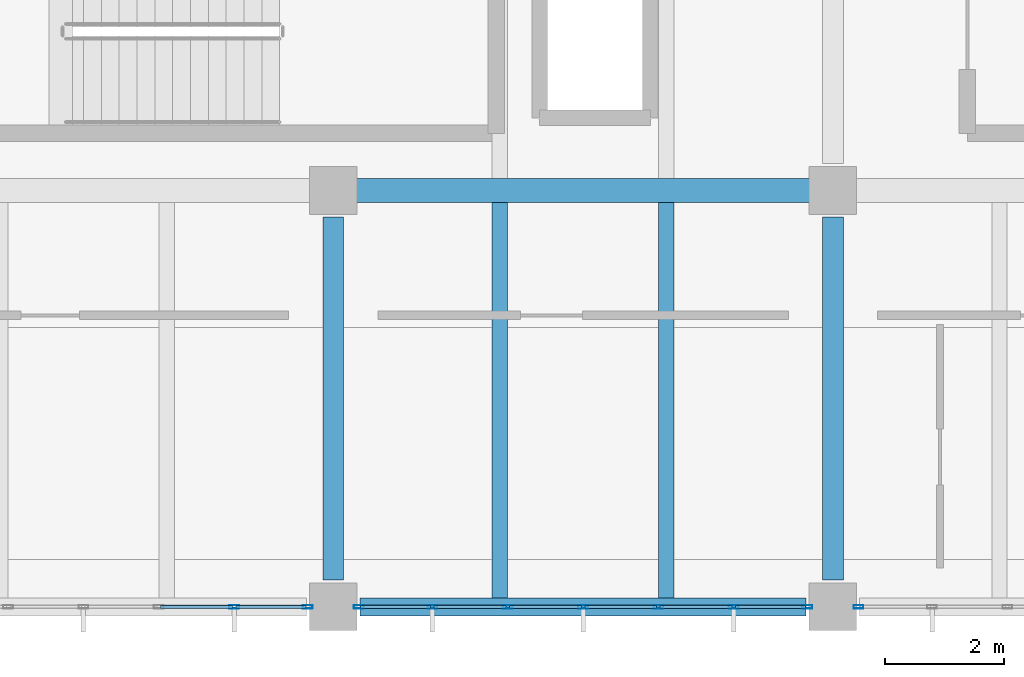
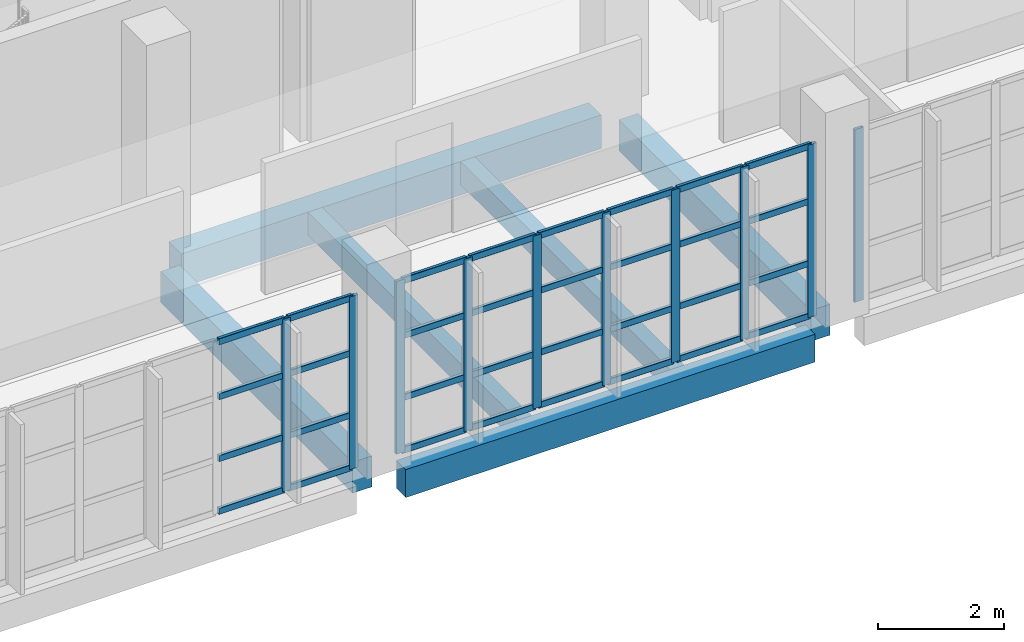
# One storey, part 17 of 177: 42 members, 6 beams, 3 elements without a shape of their own.
"""IFC4 building model written with IfcOpenShell, lengths in metres."""

from ifc_helpers import new_model, si_unit, direction, frame, origin, origin_2d, place, context, subcontext, project, spatial, rectangle, hollow_rectangle, extrude, material, layer, layer_set, material_profile, profile_set, type_object, element, aggregate, save


model = new_model("IFC4")

# Units and contexts
model_context = context("Model", 3, precision=1e-05, world=origin(), true_north=direction((0.0, 1.0)))
body_context = subcontext(model_context, "Body", "Model", "MODEL_VIEW")
ifc_project = project(units=[si_unit("LENGTHUNIT", "METRE"), si_unit("AREAUNIT", "SQUARE_METRE"), si_unit("VOLUMEUNIT", "CUBIC_METRE"), si_unit("PLANEANGLEUNIT", "RADIAN"), si_unit("MASSUNIT", "GRAM", prefix="KILO"), si_unit("THERMODYNAMICTEMPERATUREUNIT", "KELVIN"), si_unit("POWERUNIT", "WATT")], contexts=[model_context])

# Site, building, storey
site_placement = place(None, origin())
site = spatial("IfcSite", under=ifc_project, at=site_placement, CompositionType="ELEMENT")
building_placement = place(site_placement, origin())
building = spatial("IfcBuilding", under=site, at=building_placement, Name="Mavoryth Pier Ferry Terminal", CompositionType="ELEMENT")
storey_placement = place(building_placement, frame((0.0, 0.0, 5.43994140625)))
storey = spatial("IfcBuildingStorey", under=building, at=storey_placement, Name="L01", CompositionType="ELEMENT", Elevation=5.43994140625)

# Beams
ifc_material_1 = material(Name="Concrete C35/45", Category="concrete")
ifc_material_profile_1 = material_profile(ifc_material_1, rectangle(XDim=0.35009765625, YDim=0.60009765625, at=origin_2d()), Name="RC 350x600", Category="concrete")
ifc_profile_set_1 = profile_set([ifc_material_profile_1], Name="Concrete C35/45 - RC 350x600")
beam_type_1 = type_object("IfcBeamType", Name="Girder-RC-350x600", PredefinedType="BEAM", material=ifc_profile_set_1)
for number, where, z_axis, x_axis, name in (
    (1, (50.39990234375, 0.449951171875, -0.56005859375), (0.0, 1.0, 0.0), (-1.0, 0.0, 0.0), "Beam B01-BG08-0537"),
    (2, (58.800048828125, 0.449951171875, -0.56005859375), (0.0, 1.0, 0.0), (-1.0, 0.0, 0.0), "Beam B01-BG08-0540"),
):
    element("IfcBeam", number, at=place(storey_placement, frame(where, z_axis=z_axis, x_axis=x_axis)), inside=storey, type_object=beam_type_1, Name=name, PredefinedType="BEAM", context=body_context, shape_type="SweptSolid", body=[
        extrude(rectangle(XDim=0.35009765625, YDim=0.60009765625, at=origin_2d()), origin(), (0.0, 0.0, 1.0), 6.10009765625),
    ])
ifc_material_profile_2 = material_profile(ifc_material_1, rectangle(XDim=0.39990234375, YDim=0.64990234375, at=origin_2d()), Name="RC 400x650", Category="concrete")
ifc_profile_set_2 = profile_set([ifc_material_profile_2], Name="Concrete C35/45 - RC 400x650")
beam_type_2 = type_object("IfcBeamType", Name="Girder-RC-400x650", PredefinedType="BEAM", material=ifc_profile_set_2)
beam_1_placement = place(storey_placement, frame((50.75, 7.0, -0.5849609375), z_axis=(1.0, 0.0, 0.0), x_axis=(0.0, 1.0, 0.0)))
element("IfcBeam", 3, at=beam_1_placement, inside=storey, type_object=beam_type_2, Name="Beam B01-BG05-0517", PredefinedType="BEAM", context=body_context, shape_type="SweptSolid", body=[
    extrude(rectangle(XDim=0.39990234375, YDim=0.64990234375, at=origin_2d()), origin(), (0.0, 0.0, 1.0), 7.699951171875),
])
ifc_material_profile_3 = material_profile(ifc_material_1, rectangle(XDim=0.260009765625, YDim=0.449951171875, at=origin_2d()), Name="RC 260x450", Category="concrete")
ifc_profile_set_3 = profile_set([ifc_material_profile_3], Name="Concrete C35/45 - RC 260x450")
beam_type_3 = type_object("IfcBeamType", Name="Joist-RC-260x450", PredefinedType="JOIST", material=ifc_profile_set_3)
for number, where, z_axis, x_axis, name in (
    (4, (53.199951171875, 0.14990234375, -0.48486328125), (0.0, 1.0, 0.0), (-1.0, 0.0, 0.0), "Beam B01-BJ03-0559"),
    (5, (56.0, 0.14990234375, -0.48486328125), (0.0, 1.0, 0.0), (-1.0, 0.0, 0.0), "Beam B01-BJ03-0560"),
):
    element("IfcBeam", number, at=place(storey_placement, frame(where, z_axis=z_axis, x_axis=x_axis)), inside=storey, type_object=beam_type_3, Name=name, PredefinedType="JOIST", context=body_context, shape_type="SweptSolid", body=[
        extrude(rectangle(XDim=0.260009765625, YDim=0.449951171875, at=origin_2d()), origin(), (0.0, 0.0, 1.0), 6.650146484375),
    ])

# Curtain wall, members
ifc_material_2 = material(Name="Anodised Aluminium and Solar-Control Low-E Glass", Category="aluminium")
ifc_layer = layer(ifc_material_2, 0.239990234375, Name="Anodised Aluminium and Solar-Control Low-E Glass", Category="aluminium")
ifc_layer_set = layer_set([ifc_layer], Name="Anodised Aluminium and Solar-Control Low-E Glass - CW-Operations-Mod1200")
curtain_wall_type = type_object("IfcCurtainWallType", Name="CW-Operations-Mod1200", PredefinedType="USERDEFINED", material=ifc_layer_set)
curtain_wall_1_placement = place(storey_placement, origin())
curtain_wall_1 = element("IfcCurtainWall", 6, at=curtain_wall_1_placement, inside=storey, type_object=curtain_wall_type, Name="Curtain Wall CW-0122-110", ObjectType="UNITISED CURTAIN WALL", PredefinedType="USERDEFINED")
ifc_material_3 = material(Name="Anodised Aluminium EN AW-6063", Category="aluminium")
ifc_material_profile_4 = material_profile(ifc_material_3, hollow_rectangle(XDim=0.06005859375, YDim=0.1650390625, WallThickness=0.00390625, InnerFilletRadius=0.00390625, OuterFilletRadius=0.008056640625, at=origin_2d()), Name="AL-MULL 165x60x4", Category="aluminium")
ifc_profile_set_4 = profile_set([ifc_material_profile_4], Name="Anodised Aluminium EN AW-6063 - AL-MULL 165x60x4")
member_type_1 = type_object("IfcMemberType", Name="Mullion-Alum-165x60", PredefinedType="MULLION", material=ifc_profile_set_4)
member_1_placement = place(storey_placement, frame((48.7333984375, 0.0, 0.0), z_axis=(0.0, 0.0, 1.0), x_axis=(0.0, 1.0, 0.0)))
member_1 = element("IfcMember", 7, at=member_1_placement, type_object=member_type_1, Name="CW06 mullion 6", PredefinedType="MULLION", context=body_context, shape_type="SweptSolid", body=[
    extrude(hollow_rectangle(XDim=0.06005859375, YDim=0.1650390625, WallThickness=0.00390625, InnerFilletRadius=0.00390625, OuterFilletRadius=0.008056640625, at=origin_2d()), origin(), (0.0, 0.0, 1.0), 3.344970703125),
])
member_2_placement = place(storey_placement, frame((49.969970703125, 0.0, 0.0), z_axis=(0.0, 0.0, 1.0), x_axis=(0.0, 1.0, 0.0)))
member_2 = element("IfcMember", 8, at=member_2_placement, type_object=member_type_1, Name="CW06 mullion 7", PredefinedType="MULLION", context=body_context, shape_type="SweptSolid", body=[
    extrude(hollow_rectangle(XDim=0.06005859375, YDim=0.1650390625, WallThickness=0.00390625, InnerFilletRadius=0.00390625, OuterFilletRadius=0.008056640625, at=origin_2d()), origin(), (0.0, 0.0, 1.0), 3.344970703125),
])

curtain_wall_2_placement = place(storey_placement, origin())
curtain_wall_2 = element("IfcCurtainWall", 9, at=curtain_wall_2_placement, inside=storey, type_object=curtain_wall_type, Name="Curtain Wall CW-0122-111", ObjectType="UNITISED CURTAIN WALL", PredefinedType="USERDEFINED")
member_3_placement = place(storey_placement, frame((50.830078125, 0.0, 0.0), z_axis=(0.0, 0.0, 1.0), x_axis=(0.0, 1.0, 0.0)))
member_3 = element("IfcMember", 10, at=member_3_placement, type_object=member_type_1, Name="CW06 mullion 1", PredefinedType="MULLION", context=body_context, shape_type="SweptSolid", body=[
    extrude(hollow_rectangle(XDim=0.06005859375, YDim=0.1650390625, WallThickness=0.00390625, InnerFilletRadius=0.00390625, OuterFilletRadius=0.008056640625, at=origin_2d()), origin(), (0.0, 0.0, 1.0), 3.344970703125),
])
member_4_placement = place(storey_placement, frame((52.066650390625, 0.0, 0.0), z_axis=(0.0, 0.0, 1.0), x_axis=(0.0, 1.0, 0.0)))
member_4 = element("IfcMember", 11, at=member_4_placement, type_object=member_type_1, Name="CW06 mullion 2", PredefinedType="MULLION", context=body_context, shape_type="SweptSolid", body=[
    extrude(hollow_rectangle(XDim=0.06005859375, YDim=0.1650390625, WallThickness=0.00390625, InnerFilletRadius=0.00390625, OuterFilletRadius=0.008056640625, at=origin_2d()), origin(), (0.0, 0.0, 1.0), 3.344970703125),
])
member_5_placement = place(storey_placement, frame((53.333251953125, 0.0, 0.0), z_axis=(0.0, 0.0, 1.0), x_axis=(0.0, 1.0, 0.0)))
member_5 = element("IfcMember", 12, at=member_5_placement, type_object=member_type_1, Name="CW06 mullion 3", PredefinedType="MULLION", context=body_context, shape_type="SweptSolid", body=[
    extrude(hollow_rectangle(XDim=0.06005859375, YDim=0.1650390625, WallThickness=0.00390625, InnerFilletRadius=0.00390625, OuterFilletRadius=0.008056640625, at=origin_2d()), origin(), (0.0, 0.0, 1.0), 3.344970703125),
])
member_6_placement = place(storey_placement, frame((54.60009765625, 0.0, 0.0), z_axis=(0.0, 0.0, 1.0), x_axis=(0.0, 1.0, 0.0)))
member_6 = element("IfcMember", 13, at=member_6_placement, type_object=member_type_1, Name="CW06 mullion 4", PredefinedType="MULLION", context=body_context, shape_type="SweptSolid", body=[
    extrude(hollow_rectangle(XDim=0.06005859375, YDim=0.1650390625, WallThickness=0.00390625, InnerFilletRadius=0.00390625, OuterFilletRadius=0.008056640625, at=origin_2d()), origin(), (0.0, 0.0, 1.0), 3.344970703125),
])
member_7_placement = place(storey_placement, frame((55.86669921875, 0.0, 0.0), z_axis=(0.0, 0.0, 1.0), x_axis=(0.0, 1.0, 0.0)))
member_7 = element("IfcMember", 14, at=member_7_placement, type_object=member_type_1, Name="CW06 mullion 5", PredefinedType="MULLION", context=body_context, shape_type="SweptSolid", body=[
    extrude(hollow_rectangle(XDim=0.06005859375, YDim=0.1650390625, WallThickness=0.00390625, InnerFilletRadius=0.00390625, OuterFilletRadius=0.008056640625, at=origin_2d()), origin(), (0.0, 0.0, 1.0), 3.344970703125),
])
member_8_placement = place(storey_placement, frame((57.13330078125, 0.0, 0.0), z_axis=(0.0, 0.0, 1.0), x_axis=(0.0, 1.0, 0.0)))
member_8 = element("IfcMember", 15, at=member_8_placement, type_object=member_type_1, Name="CW06 mullion 6", PredefinedType="MULLION", context=body_context, shape_type="SweptSolid", body=[
    extrude(hollow_rectangle(XDim=0.06005859375, YDim=0.1650390625, WallThickness=0.00390625, InnerFilletRadius=0.00390625, OuterFilletRadius=0.008056640625, at=origin_2d()), origin(), (0.0, 0.0, 1.0), 3.344970703125),
])
member_9_placement = place(storey_placement, frame((58.3701171875, 0.0, 0.0), z_axis=(0.0, 0.0, 1.0), x_axis=(0.0, 1.0, 0.0)))
member_9 = element("IfcMember", 16, at=member_9_placement, type_object=member_type_1, Name="CW06 mullion 7", PredefinedType="MULLION", context=body_context, shape_type="SweptSolid", body=[
    extrude(hollow_rectangle(XDim=0.06005859375, YDim=0.1650390625, WallThickness=0.00390625, InnerFilletRadius=0.00390625, OuterFilletRadius=0.008056640625, at=origin_2d()), origin(), (0.0, 0.0, 1.0), 3.344970703125),
])

# Curtain wall, member
curtain_wall_3_placement = place(storey_placement, origin())
curtain_wall_3 = element("IfcCurtainWall", 17, at=curtain_wall_3_placement, inside=storey, type_object=curtain_wall_type, Name="Curtain Wall CW-0122-112", ObjectType="UNITISED CURTAIN WALL", PredefinedType="USERDEFINED")
member_10_placement = place(storey_placement, frame((59.22998046875, 0.0, 0.0), z_axis=(0.0, 0.0, 1.0), x_axis=(0.0, 1.0, 0.0)))
member_10 = element("IfcMember", 18, at=member_10_placement, type_object=member_type_1, Name="CW06 mullion 1", PredefinedType="MULLION", context=body_context, shape_type="SweptSolid", body=[
    extrude(hollow_rectangle(XDim=0.06005859375, YDim=0.1650390625, WallThickness=0.00390625, InnerFilletRadius=0.00390625, OuterFilletRadius=0.008056640625, at=origin_2d()), origin(), (0.0, 0.0, 1.0), 3.344970703125),
])
aggregate(curtain_wall_3, [member_10])

# Beam
ifc_material_profile_5 = material_profile(ifc_material_1, rectangle(XDim=0.300048828125, YDim=0.5400390625, at=origin_2d()), Name="RC 300x540", Category="concrete")
ifc_profile_set_5 = profile_set([ifc_material_profile_5], Name="Concrete C35/45 - RC 300x540")
beam_type_4 = type_object("IfcBeamType", Name="Spandrel-RC-300x540", PredefinedType="SPANDREL", material=ifc_profile_set_5)
beam_2_placement = place(storey_placement, frame((50.85009765625, 0.0, -0.530029296875), z_axis=(1.0, 0.0, 0.0), x_axis=(0.0, 1.0, 0.0)))
element("IfcBeam", 19, at=beam_2_placement, inside=storey, type_object=beam_type_4, Name="Beam B01-SP02-0511", PredefinedType="SPANDREL", context=body_context, shape_type="SweptSolid", body=[
    extrude(rectangle(XDim=0.300048828125, YDim=0.5400390625, at=origin_2d()), origin(), (0.0, 0.0, 1.0), 7.5),
])

# Member
ifc_material_profile_6 = material_profile(ifc_material_3, hollow_rectangle(XDim=0.06005859375, YDim=0.125, WallThickness=0.00390625, InnerFilletRadius=0.00390625, OuterFilletRadius=0.008056640625, at=origin_2d()), Name="AL-TRAN 125x60x4", Category="aluminium")
ifc_profile_set_6 = profile_set([ifc_material_profile_6], Name="Anodised Aluminium EN AW-6063 - AL-TRAN 125x60x4")
member_type_2 = type_object("IfcMemberType", Name="Transom-Alum-125x60", PredefinedType="USERDEFINED", material=ifc_profile_set_6)
member_11_placement = place(storey_placement, frame((47.49658203125, 0.0, 0.030029296875), z_axis=(1.0, 0.0, 0.0), x_axis=(0.0, 1.0, 0.0)))
member_11 = element("IfcMember", 20, at=member_11_placement, type_object=member_type_2, Name="CW06 transom 5.1", ObjectType="TRANSOM", PredefinedType="USERDEFINED", context=body_context, shape_type="SweptSolid", body=[
    extrude(hollow_rectangle(XDim=0.06005859375, YDim=0.125, WallThickness=0.00390625, InnerFilletRadius=0.00390625, OuterFilletRadius=0.008056640625, at=origin_2d()), origin(), (0.0, 0.0, 1.0), 1.206787109375),
])

member_12_placement = place(storey_placement, frame((47.49658203125, 0.0, 1.050048828125), z_axis=(1.0, 0.0, 0.0), x_axis=(0.0, 1.0, 0.0)))
member_12 = element("IfcMember", 21, at=member_12_placement, type_object=member_type_2, Name="CW06 transom 5.2", ObjectType="TRANSOM", PredefinedType="USERDEFINED", context=body_context, shape_type="SweptSolid", body=[
    extrude(hollow_rectangle(XDim=0.06005859375, YDim=0.125, WallThickness=0.00390625, InnerFilletRadius=0.00390625, OuterFilletRadius=0.008056640625, at=origin_2d()), origin(), (0.0, 0.0, 1.0), 1.206787109375),
])

member_13_placement = place(storey_placement, frame((47.49658203125, 0.0, 2.25), z_axis=(1.0, 0.0, 0.0), x_axis=(0.0, 1.0, 0.0)))
member_13 = element("IfcMember", 22, at=member_13_placement, type_object=member_type_2, Name="CW06 transom 5.3", ObjectType="TRANSOM", PredefinedType="USERDEFINED", context=body_context, shape_type="SweptSolid", body=[
    extrude(hollow_rectangle(XDim=0.06005859375, YDim=0.125, WallThickness=0.00390625, InnerFilletRadius=0.00390625, OuterFilletRadius=0.008056640625, at=origin_2d()), origin(), (0.0, 0.0, 1.0), 1.206787109375),
])

member_14_placement = place(storey_placement, frame((47.49658203125, 0.0, 3.31494140625), z_axis=(1.0, 0.0, 0.0), x_axis=(0.0, 1.0, 0.0)))
member_14 = element("IfcMember", 23, at=member_14_placement, type_object=member_type_2, Name="CW06 transom 5.4", ObjectType="TRANSOM", PredefinedType="USERDEFINED", context=body_context, shape_type="SweptSolid", body=[
    extrude(hollow_rectangle(XDim=0.06005859375, YDim=0.125, WallThickness=0.00390625, InnerFilletRadius=0.00390625, OuterFilletRadius=0.008056640625, at=origin_2d()), origin(), (0.0, 0.0, 1.0), 1.206787109375),
])

member_15_placement = place(storey_placement, frame((48.763427734375, 0.0, 0.030029296875), z_axis=(1.0, 0.0, 0.0), x_axis=(0.0, 1.0, 0.0)))
member_15 = element("IfcMember", 24, at=member_15_placement, type_object=member_type_2, Name="CW06 transom 6.1", ObjectType="TRANSOM", PredefinedType="USERDEFINED", context=body_context, shape_type="SweptSolid", body=[
    extrude(hollow_rectangle(XDim=0.06005859375, YDim=0.125, WallThickness=0.00390625, InnerFilletRadius=0.00390625, OuterFilletRadius=0.008056640625, at=origin_2d()), origin(), (0.0, 0.0, 1.0), 1.176513671875),
])

member_16_placement = place(storey_placement, frame((48.763427734375, 0.0, 1.050048828125), z_axis=(1.0, 0.0, 0.0), x_axis=(0.0, 1.0, 0.0)))
member_16 = element("IfcMember", 25, at=member_16_placement, type_object=member_type_2, Name="CW06 transom 6.2", ObjectType="TRANSOM", PredefinedType="USERDEFINED", context=body_context, shape_type="SweptSolid", body=[
    extrude(hollow_rectangle(XDim=0.06005859375, YDim=0.125, WallThickness=0.00390625, InnerFilletRadius=0.00390625, OuterFilletRadius=0.008056640625, at=origin_2d()), origin(), (0.0, 0.0, 1.0), 1.176513671875),
])

member_17_placement = place(storey_placement, frame((48.763427734375, 0.0, 2.25), z_axis=(1.0, 0.0, 0.0), x_axis=(0.0, 1.0, 0.0)))
member_17 = element("IfcMember", 26, at=member_17_placement, type_object=member_type_2, Name="CW06 transom 6.3", ObjectType="TRANSOM", PredefinedType="USERDEFINED", context=body_context, shape_type="SweptSolid", body=[
    extrude(hollow_rectangle(XDim=0.06005859375, YDim=0.125, WallThickness=0.00390625, InnerFilletRadius=0.00390625, OuterFilletRadius=0.008056640625, at=origin_2d()), origin(), (0.0, 0.0, 1.0), 1.176513671875),
])

member_18_placement = place(storey_placement, frame((48.763427734375, 0.0, 3.31494140625), z_axis=(1.0, 0.0, 0.0), x_axis=(0.0, 1.0, 0.0)))
member_18 = element("IfcMember", 27, at=member_18_placement, type_object=member_type_2, Name="CW06 transom 6.4", ObjectType="TRANSOM", PredefinedType="USERDEFINED", context=body_context, shape_type="SweptSolid", body=[
    extrude(hollow_rectangle(XDim=0.06005859375, YDim=0.125, WallThickness=0.00390625, InnerFilletRadius=0.00390625, OuterFilletRadius=0.008056640625, at=origin_2d()), origin(), (0.0, 0.0, 1.0), 1.176513671875),
])

aggregate(curtain_wall_1, [member_1, member_2, member_11, member_12, member_13, member_14, member_15, member_16, member_17, member_18])

member_19_placement = place(storey_placement, frame((50.860107421875, 0.0, 0.030029296875), z_axis=(1.0, 0.0, 0.0), x_axis=(0.0, 1.0, 0.0)))
member_19 = element("IfcMember", 28, at=member_19_placement, type_object=member_type_2, Name="CW06 transom 1.1", ObjectType="TRANSOM", PredefinedType="USERDEFINED", context=body_context, shape_type="SweptSolid", body=[
    extrude(hollow_rectangle(XDim=0.06005859375, YDim=0.125, WallThickness=0.00390625, InnerFilletRadius=0.00390625, OuterFilletRadius=0.008056640625, at=origin_2d()), origin(), (0.0, 0.0, 1.0), 1.176513671875),
])

member_20_placement = place(storey_placement, frame((50.860107421875, 0.0, 1.050048828125), z_axis=(1.0, 0.0, 0.0), x_axis=(0.0, 1.0, 0.0)))
member_20 = element("IfcMember", 29, at=member_20_placement, type_object=member_type_2, Name="CW06 transom 1.2", ObjectType="TRANSOM", PredefinedType="USERDEFINED", context=body_context, shape_type="SweptSolid", body=[
    extrude(hollow_rectangle(XDim=0.06005859375, YDim=0.125, WallThickness=0.00390625, InnerFilletRadius=0.00390625, OuterFilletRadius=0.008056640625, at=origin_2d()), origin(), (0.0, 0.0, 1.0), 1.176513671875),
])

member_21_placement = place(storey_placement, frame((50.860107421875, 0.0, 2.25), z_axis=(1.0, 0.0, 0.0), x_axis=(0.0, 1.0, 0.0)))
member_21 = element("IfcMember", 30, at=member_21_placement, type_object=member_type_2, Name="CW06 transom 1.3", ObjectType="TRANSOM", PredefinedType="USERDEFINED", context=body_context, shape_type="SweptSolid", body=[
    extrude(hollow_rectangle(XDim=0.06005859375, YDim=0.125, WallThickness=0.00390625, InnerFilletRadius=0.00390625, OuterFilletRadius=0.008056640625, at=origin_2d()), origin(), (0.0, 0.0, 1.0), 1.176513671875),
])

member_22_placement = place(storey_placement, frame((50.860107421875, 0.0, 3.31494140625), z_axis=(1.0, 0.0, 0.0), x_axis=(0.0, 1.0, 0.0)))
member_22 = element("IfcMember", 31, at=member_22_placement, type_object=member_type_2, Name="CW06 transom 1.4", ObjectType="TRANSOM", PredefinedType="USERDEFINED", context=body_context, shape_type="SweptSolid", body=[
    extrude(hollow_rectangle(XDim=0.06005859375, YDim=0.125, WallThickness=0.00390625, InnerFilletRadius=0.00390625, OuterFilletRadius=0.008056640625, at=origin_2d()), origin(), (0.0, 0.0, 1.0), 1.176513671875),
])

member_23_placement = place(storey_placement, frame((52.0966796875, 0.0, 0.030029296875), z_axis=(1.0, 0.0, 0.0), x_axis=(0.0, 1.0, 0.0)))
member_23 = element("IfcMember", 32, at=member_23_placement, type_object=member_type_2, Name="CW06 transom 2.1", ObjectType="TRANSOM", PredefinedType="USERDEFINED", context=body_context, shape_type="SweptSolid", body=[
    extrude(hollow_rectangle(XDim=0.06005859375, YDim=0.125, WallThickness=0.00390625, InnerFilletRadius=0.00390625, OuterFilletRadius=0.008056640625, at=origin_2d()), origin(), (0.0, 0.0, 1.0), 1.20654296875),
])

member_24_placement = place(storey_placement, frame((52.0966796875, 0.0, 1.050048828125), z_axis=(1.0, 0.0, 0.0), x_axis=(0.0, 1.0, 0.0)))
member_24 = element("IfcMember", 33, at=member_24_placement, type_object=member_type_2, Name="CW06 transom 2.2", ObjectType="TRANSOM", PredefinedType="USERDEFINED", context=body_context, shape_type="SweptSolid", body=[
    extrude(hollow_rectangle(XDim=0.06005859375, YDim=0.125, WallThickness=0.00390625, InnerFilletRadius=0.00390625, OuterFilletRadius=0.008056640625, at=origin_2d()), origin(), (0.0, 0.0, 1.0), 1.20654296875),
])

member_25_placement = place(storey_placement, frame((52.0966796875, 0.0, 2.25), z_axis=(1.0, 0.0, 0.0), x_axis=(0.0, 1.0, 0.0)))
member_25 = element("IfcMember", 34, at=member_25_placement, type_object=member_type_2, Name="CW06 transom 2.3", ObjectType="TRANSOM", PredefinedType="USERDEFINED", context=body_context, shape_type="SweptSolid", body=[
    extrude(hollow_rectangle(XDim=0.06005859375, YDim=0.125, WallThickness=0.00390625, InnerFilletRadius=0.00390625, OuterFilletRadius=0.008056640625, at=origin_2d()), origin(), (0.0, 0.0, 1.0), 1.20654296875),
])

member_26_placement = place(storey_placement, frame((52.0966796875, 0.0, 3.31494140625), z_axis=(1.0, 0.0, 0.0), x_axis=(0.0, 1.0, 0.0)))
member_26 = element("IfcMember", 35, at=member_26_placement, type_object=member_type_2, Name="CW06 transom 2.4", ObjectType="TRANSOM", PredefinedType="USERDEFINED", context=body_context, shape_type="SweptSolid", body=[
    extrude(hollow_rectangle(XDim=0.06005859375, YDim=0.125, WallThickness=0.00390625, InnerFilletRadius=0.00390625, OuterFilletRadius=0.008056640625, at=origin_2d()), origin(), (0.0, 0.0, 1.0), 1.20654296875),
])

member_27_placement = place(storey_placement, frame((53.36328125, 0.0, 0.030029296875), z_axis=(1.0, 0.0, 0.0), x_axis=(0.0, 1.0, 0.0)))
member_27 = element("IfcMember", 36, at=member_27_placement, type_object=member_type_2, Name="CW06 transom 3.1", ObjectType="TRANSOM", PredefinedType="USERDEFINED", context=body_context, shape_type="SweptSolid", body=[
    extrude(hollow_rectangle(XDim=0.06005859375, YDim=0.125, WallThickness=0.00390625, InnerFilletRadius=0.00390625, OuterFilletRadius=0.008056640625, at=origin_2d()), origin(), (0.0, 0.0, 1.0), 1.206787109375),
])

member_28_placement = place(storey_placement, frame((53.36328125, 0.0, 1.050048828125), z_axis=(1.0, 0.0, 0.0), x_axis=(0.0, 1.0, 0.0)))
member_28 = element("IfcMember", 37, at=member_28_placement, type_object=member_type_2, Name="CW06 transom 3.2", ObjectType="TRANSOM", PredefinedType="USERDEFINED", context=body_context, shape_type="SweptSolid", body=[
    extrude(hollow_rectangle(XDim=0.06005859375, YDim=0.125, WallThickness=0.00390625, InnerFilletRadius=0.00390625, OuterFilletRadius=0.008056640625, at=origin_2d()), origin(), (0.0, 0.0, 1.0), 1.206787109375),
])

member_29_placement = place(storey_placement, frame((53.36328125, 0.0, 2.25), z_axis=(1.0, 0.0, 0.0), x_axis=(0.0, 1.0, 0.0)))
member_29 = element("IfcMember", 38, at=member_29_placement, type_object=member_type_2, Name="CW06 transom 3.3", ObjectType="TRANSOM", PredefinedType="USERDEFINED", context=body_context, shape_type="SweptSolid", body=[
    extrude(hollow_rectangle(XDim=0.06005859375, YDim=0.125, WallThickness=0.00390625, InnerFilletRadius=0.00390625, OuterFilletRadius=0.008056640625, at=origin_2d()), origin(), (0.0, 0.0, 1.0), 1.206787109375),
])

member_30_placement = place(storey_placement, frame((53.36328125, 0.0, 3.31494140625), z_axis=(1.0, 0.0, 0.0), x_axis=(0.0, 1.0, 0.0)))
member_30 = element("IfcMember", 39, at=member_30_placement, type_object=member_type_2, Name="CW06 transom 3.4", ObjectType="TRANSOM", PredefinedType="USERDEFINED", context=body_context, shape_type="SweptSolid", body=[
    extrude(hollow_rectangle(XDim=0.06005859375, YDim=0.125, WallThickness=0.00390625, InnerFilletRadius=0.00390625, OuterFilletRadius=0.008056640625, at=origin_2d()), origin(), (0.0, 0.0, 1.0), 1.206787109375),
])

member_31_placement = place(storey_placement, frame((54.6298828125, 0.0, 0.030029296875), z_axis=(1.0, 0.0, 0.0), x_axis=(0.0, 1.0, 0.0)))
member_31 = element("IfcMember", 40, at=member_31_placement, type_object=member_type_2, Name="CW06 transom 4.1", ObjectType="TRANSOM", PredefinedType="USERDEFINED", context=body_context, shape_type="SweptSolid", body=[
    extrude(hollow_rectangle(XDim=0.06005859375, YDim=0.125, WallThickness=0.00390625, InnerFilletRadius=0.00390625, OuterFilletRadius=0.008056640625, at=origin_2d()), origin(), (0.0, 0.0, 1.0), 1.206787109375),
])

member_32_placement = place(storey_placement, frame((54.6298828125, 0.0, 1.050048828125), z_axis=(1.0, 0.0, 0.0), x_axis=(0.0, 1.0, 0.0)))
member_32 = element("IfcMember", 41, at=member_32_placement, type_object=member_type_2, Name="CW06 transom 4.2", ObjectType="TRANSOM", PredefinedType="USERDEFINED", context=body_context, shape_type="SweptSolid", body=[
    extrude(hollow_rectangle(XDim=0.06005859375, YDim=0.125, WallThickness=0.00390625, InnerFilletRadius=0.00390625, OuterFilletRadius=0.008056640625, at=origin_2d()), origin(), (0.0, 0.0, 1.0), 1.206787109375),
])

member_33_placement = place(storey_placement, frame((54.6298828125, 0.0, 2.25), z_axis=(1.0, 0.0, 0.0), x_axis=(0.0, 1.0, 0.0)))
member_33 = element("IfcMember", 42, at=member_33_placement, type_object=member_type_2, Name="CW06 transom 4.3", ObjectType="TRANSOM", PredefinedType="USERDEFINED", context=body_context, shape_type="SweptSolid", body=[
    extrude(hollow_rectangle(XDim=0.06005859375, YDim=0.125, WallThickness=0.00390625, InnerFilletRadius=0.00390625, OuterFilletRadius=0.008056640625, at=origin_2d()), origin(), (0.0, 0.0, 1.0), 1.206787109375),
])

member_34_placement = place(storey_placement, frame((54.6298828125, 0.0, 3.31494140625), z_axis=(1.0, 0.0, 0.0), x_axis=(0.0, 1.0, 0.0)))
member_34 = element("IfcMember", 43, at=member_34_placement, type_object=member_type_2, Name="CW06 transom 4.4", ObjectType="TRANSOM", PredefinedType="USERDEFINED", context=body_context, shape_type="SweptSolid", body=[
    extrude(hollow_rectangle(XDim=0.06005859375, YDim=0.125, WallThickness=0.00390625, InnerFilletRadius=0.00390625, OuterFilletRadius=0.008056640625, at=origin_2d()), origin(), (0.0, 0.0, 1.0), 1.206787109375),
])

member_35_placement = place(storey_placement, frame((55.896728515625, 0.0, 0.030029296875), z_axis=(1.0, 0.0, 0.0), x_axis=(0.0, 1.0, 0.0)))
member_35 = element("IfcMember", 44, at=member_35_placement, type_object=member_type_2, Name="CW06 transom 5.1", ObjectType="TRANSOM", PredefinedType="USERDEFINED", context=body_context, shape_type="SweptSolid", body=[
    extrude(hollow_rectangle(XDim=0.06005859375, YDim=0.125, WallThickness=0.00390625, InnerFilletRadius=0.00390625, OuterFilletRadius=0.008056640625, at=origin_2d()), origin(), (0.0, 0.0, 1.0), 1.20654296875),
])

member_36_placement = place(storey_placement, frame((55.896728515625, 0.0, 1.050048828125), z_axis=(1.0, 0.0, 0.0), x_axis=(0.0, 1.0, 0.0)))
member_36 = element("IfcMember", 45, at=member_36_placement, type_object=member_type_2, Name="CW06 transom 5.2", ObjectType="TRANSOM", PredefinedType="USERDEFINED", context=body_context, shape_type="SweptSolid", body=[
    extrude(hollow_rectangle(XDim=0.06005859375, YDim=0.125, WallThickness=0.00390625, InnerFilletRadius=0.00390625, OuterFilletRadius=0.008056640625, at=origin_2d()), origin(), (0.0, 0.0, 1.0), 1.20654296875),
])

member_37_placement = place(storey_placement, frame((55.896728515625, 0.0, 2.25), z_axis=(1.0, 0.0, 0.0), x_axis=(0.0, 1.0, 0.0)))
member_37 = element("IfcMember", 46, at=member_37_placement, type_object=member_type_2, Name="CW06 transom 5.3", ObjectType="TRANSOM", PredefinedType="USERDEFINED", context=body_context, shape_type="SweptSolid", body=[
    extrude(hollow_rectangle(XDim=0.06005859375, YDim=0.125, WallThickness=0.00390625, InnerFilletRadius=0.00390625, OuterFilletRadius=0.008056640625, at=origin_2d()), origin(), (0.0, 0.0, 1.0), 1.20654296875),
])

member_38_placement = place(storey_placement, frame((55.896728515625, 0.0, 3.31494140625), z_axis=(1.0, 0.0, 0.0), x_axis=(0.0, 1.0, 0.0)))
member_38 = element("IfcMember", 47, at=member_38_placement, type_object=member_type_2, Name="CW06 transom 5.4", ObjectType="TRANSOM", PredefinedType="USERDEFINED", context=body_context, shape_type="SweptSolid", body=[
    extrude(hollow_rectangle(XDim=0.06005859375, YDim=0.125, WallThickness=0.00390625, InnerFilletRadius=0.00390625, OuterFilletRadius=0.008056640625, at=origin_2d()), origin(), (0.0, 0.0, 1.0), 1.20654296875),
])

member_39_placement = place(storey_placement, frame((57.163330078125, 0.0, 0.030029296875), z_axis=(1.0, 0.0, 0.0), x_axis=(0.0, 1.0, 0.0)))
member_39 = element("IfcMember", 48, at=member_39_placement, type_object=member_type_2, Name="CW06 transom 6.1", ObjectType="TRANSOM", PredefinedType="USERDEFINED", context=body_context, shape_type="SweptSolid", body=[
    extrude(hollow_rectangle(XDim=0.06005859375, YDim=0.125, WallThickness=0.00390625, InnerFilletRadius=0.00390625, OuterFilletRadius=0.008056640625, at=origin_2d()), origin(), (0.0, 0.0, 1.0), 1.1767578125),
])

member_40_placement = place(storey_placement, frame((57.163330078125, 0.0, 1.050048828125), z_axis=(1.0, 0.0, 0.0), x_axis=(0.0, 1.0, 0.0)))
member_40 = element("IfcMember", 49, at=member_40_placement, type_object=member_type_2, Name="CW06 transom 6.2", ObjectType="TRANSOM", PredefinedType="USERDEFINED", context=body_context, shape_type="SweptSolid", body=[
    extrude(hollow_rectangle(XDim=0.06005859375, YDim=0.125, WallThickness=0.00390625, InnerFilletRadius=0.00390625, OuterFilletRadius=0.008056640625, at=origin_2d()), origin(), (0.0, 0.0, 1.0), 1.1767578125),
])

member_41_placement = place(storey_placement, frame((57.163330078125, 0.0, 2.25), z_axis=(1.0, 0.0, 0.0), x_axis=(0.0, 1.0, 0.0)))
member_41 = element("IfcMember", 50, at=member_41_placement, type_object=member_type_2, Name="CW06 transom 6.3", ObjectType="TRANSOM", PredefinedType="USERDEFINED", context=body_context, shape_type="SweptSolid", body=[
    extrude(hollow_rectangle(XDim=0.06005859375, YDim=0.125, WallThickness=0.00390625, InnerFilletRadius=0.00390625, OuterFilletRadius=0.008056640625, at=origin_2d()), origin(), (0.0, 0.0, 1.0), 1.1767578125),
])

member_42_placement = place(storey_placement, frame((57.163330078125, 0.0, 3.31494140625), z_axis=(1.0, 0.0, 0.0), x_axis=(0.0, 1.0, 0.0)))
member_42 = element("IfcMember", 51, at=member_42_placement, type_object=member_type_2, Name="CW06 transom 6.4", ObjectType="TRANSOM", PredefinedType="USERDEFINED", context=body_context, shape_type="SweptSolid", body=[
    extrude(hollow_rectangle(XDim=0.06005859375, YDim=0.125, WallThickness=0.00390625, InnerFilletRadius=0.00390625, OuterFilletRadius=0.008056640625, at=origin_2d()), origin(), (0.0, 0.0, 1.0), 1.1767578125),
])

aggregate(curtain_wall_2, [member_3, member_4, member_5, member_6, member_7, member_8, member_9, member_19, member_20, member_21, member_22, member_23, member_24, member_25, member_26, member_27, member_28, member_29, member_30, member_31, member_32, member_33, member_34, member_35, member_36, member_37, member_38, member_39, member_40, member_41, member_42])

save(model, "model.ifc")
